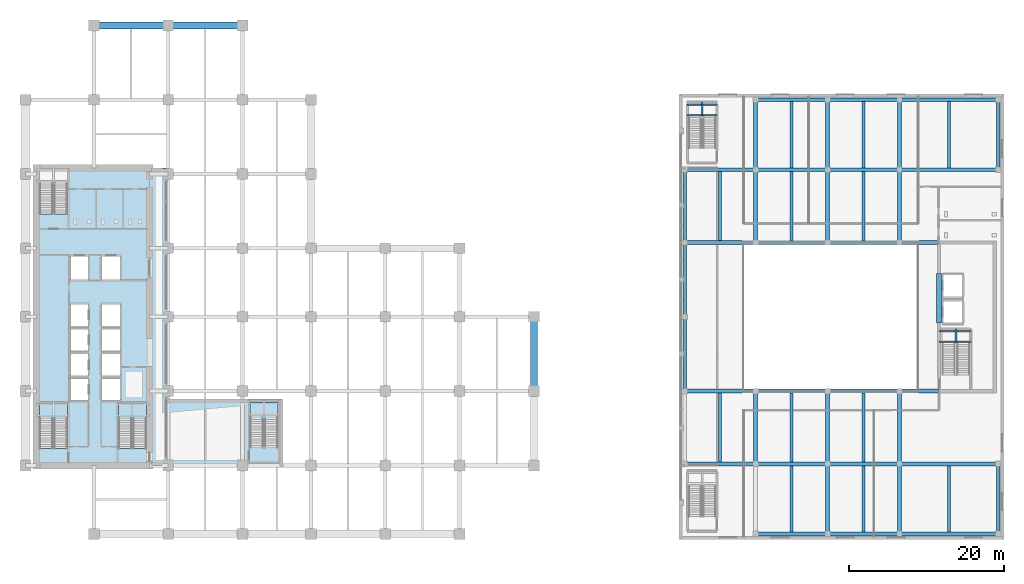
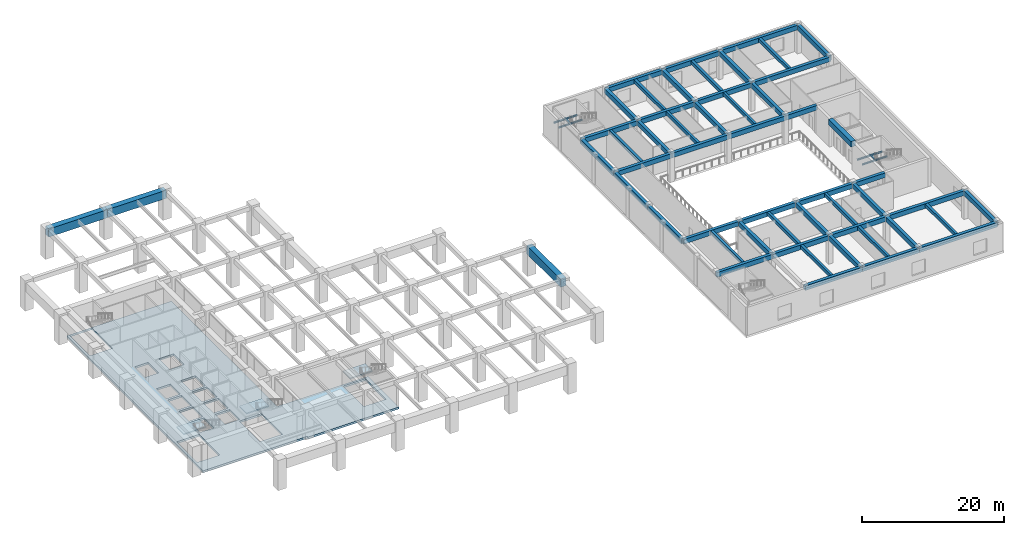
# One storey, part 3 of 22: 60 beams, 4 slabs, 3 elements without a shape of their own.
"""IFC4 building model written with IfcOpenShell, lengths in metres."""

from ifc_helpers import new_model, si_unit, direction, frame, origin, origin_2d, place, context, subcontext, project, spatial, polyline, rectangle, i_section, outline, extrude, material, layer, layer_set, material_profile, profile_set, type_object, element, aggregate, save


model = new_model("IFC4")

# Units and contexts
model_context = context("Model", 3, precision=1e-05, world=origin(), true_north=direction((0.0, 1.0)))
body_context = subcontext(model_context, "Body", "Model", "MODEL_VIEW")
ifc_project = project(units=[si_unit("LENGTHUNIT", "METRE"), si_unit("AREAUNIT", "SQUARE_METRE"), si_unit("VOLUMEUNIT", "CUBIC_METRE"), si_unit("PLANEANGLEUNIT", "RADIAN"), si_unit("MASSUNIT", "GRAM", prefix="KILO")], contexts=[model_context])

# Site, building, storey
site_placement = place(None, origin())
site = spatial("IfcSite", under=ifc_project, at=site_placement, CompositionType="ELEMENT")
building_placement = place(site_placement, origin())
building = spatial("IfcBuilding", under=site, at=building_placement, Name="Norrvale University Quadrangle", CompositionType="ELEMENT")
storey_placement = place(building_placement, frame((0.0, 0.0, 5.199951171875)))
storey = spatial("IfcBuildingStorey", under=building, at=storey_placement, Name="L01", CompositionType="ELEMENT", Elevation=5.199951171875)

# Beams
ifc_material_1 = material(Name="Concrete C80/95", Category="concrete")
ifc_material_profile_1 = material_profile(ifc_material_1, rectangle(XDim=0.699951171875, YDim=0.949951171875, at=origin_2d()), Name="Concrete C80/95")
ifc_profile_set_1 = profile_set([ifc_material_profile_1], Name="Concrete C80/95")
beam_type_1 = type_object("IfcBeamType", Name="Beam Core Link 700x950", PredefinedType="LINTEL", material=ifc_profile_set_1)
beam_1_placement = place(storey_placement, frame((118.800048828125, 28.0, 4.375), z_axis=(0.0, 1.0, 0.0), x_axis=(-1.0, 0.0, 0.0)))
element("IfcBeam", 1, at=beam_1_placement, inside=storey, type_object=beam_type_1, Name="Library Core Coupling Lintel L01", PredefinedType="LINTEL", context=body_context, shape_type="SweptSolid", body=[
    extrude(rectangle(XDim=0.699951171875, YDim=0.949951171875, at=origin_2d()), origin(), (0.0, 0.0, 1.0), 6.39990234375),
])
ifc_material_2 = material(Name="Concrete C60/75", Category="concrete")
ifc_material_profile_2 = material_profile(ifc_material_2, rectangle(XDim=0.39990234375, YDim=0.60009765625, at=origin_2d()), Name="Concrete C60/75")
ifc_profile_set_2 = profile_set([ifc_material_profile_2], Name="Concrete C60/75")
beam_type_2 = type_object("IfcBeamType", Name="Beam Lib 400x600", PredefinedType="JOIST", material=ifc_profile_set_2)
beam_2_placement = place(storey_placement, frame((90.52490234375, 10.050048828125, 4.550048828125), z_axis=(0.0, 1.0, 0.0), x_axis=(-1.0, 0.0, 0.0)))
element("IfcBeam", 2, at=beam_2_placement, inside=storey, type_object=beam_type_2, Name="Beam Lib 400x600 BM-L01-LJ039", PredefinedType="JOIST", context=body_context, shape_type="SweptSolid", body=[
    extrude(rectangle(XDim=0.39990234375, YDim=0.60009765625, at=origin_2d()), origin(), (0.0, 0.0, 1.0), 8.89990234375),
])
beam_3_placement = place(storey_placement, frame((90.52490234375, 38.64990234375, 4.550048828125), z_axis=(0.0, 1.0, 0.0), x_axis=(-1.0, 0.0, 0.0)))
element("IfcBeam", 3, at=beam_3_placement, inside=storey, type_object=beam_type_2, Name="Beam Lib 400x600 BM-L01-LJ040", PredefinedType="JOIST", context=body_context, shape_type="SweptSolid", body=[
    extrude(rectangle(XDim=0.39990234375, YDim=0.60009765625, at=origin_2d()), origin(), (0.0, 0.0, 1.0), 8.900146484375),
])
beam_4_placement = place(storey_placement, frame((99.75, 1.0, 4.550048828125), z_axis=(0.0, 1.0, 0.0), x_axis=(-1.0, 0.0, 0.0)))
element("IfcBeam", 4, at=beam_4_placement, inside=storey, type_object=beam_type_2, Name="Beam Lib 400x600 BM-L01-LJ041", PredefinedType="JOIST", context=body_context, shape_type="SweptSolid", body=[
    extrude(rectangle(XDim=0.39990234375, YDim=0.60009765625, at=origin_2d()), origin(), (0.0, 0.0, 1.0), 8.550048828125),
])
beam_5_placement = place(storey_placement, frame((99.75, 10.050048828125, 4.550048828125), z_axis=(0.0, 1.0, 0.0), x_axis=(-1.0, 0.0, 0.0)))
element("IfcBeam", 5, at=beam_5_placement, inside=storey, type_object=beam_type_2, Name="Beam Lib 400x600 BM-L01-LJ042", PredefinedType="JOIST", context=body_context, shape_type="SweptSolid", body=[
    extrude(rectangle(XDim=0.39990234375, YDim=0.60009765625, at=origin_2d()), origin(), (0.0, 0.0, 1.0), 8.89990234375),
])
beam_6_placement = place(storey_placement, frame((99.75, 38.64990234375, 4.550048828125), z_axis=(0.0, 1.0, 0.0), x_axis=(-1.0, 0.0, 0.0)))
element("IfcBeam", 6, at=beam_6_placement, inside=storey, type_object=beam_type_2, Name="Beam Lib 400x600 BM-L01-LJ043", PredefinedType="JOIST", context=body_context, shape_type="SweptSolid", body=[
    extrude(rectangle(XDim=0.39990234375, YDim=0.60009765625, at=origin_2d()), origin(), (0.0, 0.0, 1.0), 8.900146484375),
])
for number, where, z_axis, x_axis, name in (
    (7, (99.75, 48.050048828125, 4.550048828125), (0.0, 1.0, 0.0), (-1.0, 0.0, 0.0), "Beam Lib 400x600 BM-L01-LJ044"),
    (8, (109.050048828125, 1.0, 4.550048828125), (0.0, 1.0, 0.0), (-1.0, 0.0, 0.0), "Beam Lib 400x600 BM-L01-LJ045"),
):
    element("IfcBeam", number, at=place(storey_placement, frame(where, z_axis=z_axis, x_axis=x_axis)), inside=storey, type_object=beam_type_2, Name=name, PredefinedType="JOIST", context=body_context, shape_type="SweptSolid", body=[
        extrude(rectangle(XDim=0.39990234375, YDim=0.60009765625, at=origin_2d()), origin(), (0.0, 0.0, 1.0), 8.550048828125),
    ])
beam_7_placement = place(storey_placement, frame((109.050048828125, 10.050048828125, 4.550048828125), z_axis=(0.0, 1.0, 0.0), x_axis=(-1.0, 0.0, 0.0)))
element("IfcBeam", 9, at=beam_7_placement, inside=storey, type_object=beam_type_2, Name="Beam Lib 400x600 BM-L01-LJ046", PredefinedType="JOIST", context=body_context, shape_type="SweptSolid", body=[
    extrude(rectangle(XDim=0.39990234375, YDim=0.60009765625, at=origin_2d()), origin(), (0.0, 0.0, 1.0), 8.89990234375),
])
beam_8_placement = place(storey_placement, frame((109.050048828125, 38.64990234375, 4.550048828125), z_axis=(0.0, 1.0, 0.0), x_axis=(-1.0, 0.0, 0.0)))
element("IfcBeam", 10, at=beam_8_placement, inside=storey, type_object=beam_type_2, Name="Beam Lib 400x600 BM-L01-LJ047", PredefinedType="JOIST", context=body_context, shape_type="SweptSolid", body=[
    extrude(rectangle(XDim=0.39990234375, YDim=0.60009765625, at=origin_2d()), origin(), (0.0, 0.0, 1.0), 8.900146484375),
])
for number, where, z_axis, x_axis, name in (
    (11, (109.050048828125, 48.050048828125, 4.550048828125), (0.0, 1.0, 0.0), (-1.0, 0.0, 0.0), "Beam Lib 400x600 BM-L01-LJ048"),
    (12, (120.074951171875, 1.0, 4.550048828125), (0.0, 1.0, 0.0), (-1.0, 0.0, 0.0), "Beam Lib 400x600 BM-L01-LJ049"),
    (13, (120.074951171875, 48.050048828125, 4.550048828125), (0.0, 1.0, 0.0), (-1.0, 0.0, 0.0), "Beam Lib 400x600 BM-L01-LJ050"),
):
    element("IfcBeam", number, at=place(storey_placement, frame(where, z_axis=z_axis, x_axis=x_axis)), inside=storey, type_object=beam_type_2, Name=name, PredefinedType="JOIST", context=body_context, shape_type="SweptSolid", body=[
        extrude(rectangle(XDim=0.39990234375, YDim=0.60009765625, at=origin_2d()), origin(), (0.0, 0.0, 1.0), 8.550048828125),
    ])
ifc_material_profile_3 = material_profile(ifc_material_2, rectangle(XDim=0.5, YDim=0.800048828125, at=origin_2d()), Name="Concrete C60/75")
ifc_profile_set_3 = profile_set([ifc_material_profile_3], Name="Concrete C60/75")
beam_type_3 = type_object("IfcBeamType", Name="Beam Lib 500x800", PredefinedType="BEAM", material=ifc_profile_set_3)
beam_9_placement = place(storey_placement, frame((95.10009765625, 0.75, 4.449951171875), z_axis=(1.0, 0.0, 0.0), x_axis=(0.0, 1.0, 0.0)))
element("IfcBeam", 14, at=beam_9_placement, inside=storey, type_object=beam_type_3, Name="Beam Lib 500x800 BM-L01-LGX001", PredefinedType="BEAM", context=body_context, shape_type="SweptSolid", body=[
    extrude(rectangle(XDim=0.5, YDim=0.800048828125, at=origin_2d()), origin(), (0.0, 0.0, 1.0), 9.2998046875),
])
beam_10_placement = place(storey_placement, frame((104.39990234375, 0.75, 4.449951171875), z_axis=(1.0, 0.0, 0.0), x_axis=(0.0, 1.0, 0.0)))
element("IfcBeam", 15, at=beam_10_placement, inside=storey, type_object=beam_type_3, Name="Beam Lib 500x800 BM-L01-LGX002", PredefinedType="BEAM", context=body_context, shape_type="SweptSolid", body=[
    extrude(rectangle(XDim=0.5, YDim=0.800048828125, at=origin_2d()), origin(), (0.0, 0.0, 1.0), 9.300048828125),
])
beam_11_placement = place(storey_placement, frame((113.699951171875, 0.75, 4.449951171875), z_axis=(1.0, 0.0, 0.0), x_axis=(0.0, 1.0, 0.0)))
element("IfcBeam", 16, at=beam_11_placement, inside=storey, type_object=beam_type_3, Name="Beam Lib 500x800 BM-L01-LGX003", PredefinedType="BEAM", context=body_context, shape_type="SweptSolid", body=[
    extrude(rectangle(XDim=0.5, YDim=0.800048828125, at=origin_2d()), origin(), (0.0, 0.0, 1.0), 12.75),
])
beam_12_placement = place(storey_placement, frame((85.949951171875, 9.800048828125, 4.449951171875), z_axis=(1.0, 0.0, 0.0), x_axis=(0.0, 1.0, 0.0)))
element("IfcBeam", 17, at=beam_12_placement, inside=storey, type_object=beam_type_3, Name="Beam Lib 500x800 BM-L01-LGX004", PredefinedType="BEAM", context=body_context, shape_type="SweptSolid", body=[
    extrude(rectangle(XDim=0.5, YDim=0.800048828125, at=origin_2d()), origin(), (0.0, 0.0, 1.0), 9.150146484375),
])
beam_13_placement = place(storey_placement, frame((95.10009765625, 9.800048828125, 4.449951171875), z_axis=(1.0, 0.0, 0.0), x_axis=(0.0, 1.0, 0.0)))
element("IfcBeam", 18, at=beam_13_placement, inside=storey, type_object=beam_type_3, Name="Beam Lib 500x800 BM-L01-LGX005", PredefinedType="BEAM", context=body_context, shape_type="SweptSolid", body=[
    extrude(rectangle(XDim=0.5, YDim=0.800048828125, at=origin_2d()), origin(), (0.0, 0.0, 1.0), 9.2998046875),
])
beam_14_placement = place(storey_placement, frame((104.39990234375, 9.800048828125, 4.449951171875), z_axis=(1.0, 0.0, 0.0), x_axis=(0.0, 1.0, 0.0)))
element("IfcBeam", 19, at=beam_14_placement, inside=storey, type_object=beam_type_3, Name="Beam Lib 500x800 BM-L01-LGX006", PredefinedType="BEAM", context=body_context, shape_type="SweptSolid", body=[
    extrude(rectangle(XDim=0.5, YDim=0.800048828125, at=origin_2d()), origin(), (0.0, 0.0, 1.0), 9.300048828125),
])
beam_15_placement = place(storey_placement, frame((113.699951171875, 9.800048828125, 4.449951171875), z_axis=(1.0, 0.0, 0.0), x_axis=(0.0, 1.0, 0.0)))
element("IfcBeam", 20, at=beam_15_placement, inside=storey, type_object=beam_type_3, Name="Beam Lib 500x800 BM-L01-LGX007", PredefinedType="BEAM", context=body_context, shape_type="SweptSolid", body=[
    extrude(rectangle(XDim=0.5, YDim=0.800048828125, at=origin_2d()), origin(), (0.0, 0.0, 1.0), 12.75),
])
beam_16_placement = place(storey_placement, frame((85.949951171875, 19.199951171875, 4.449951171875), z_axis=(1.0, 0.0, 0.0), x_axis=(0.0, 1.0, 0.0)))
element("IfcBeam", 21, at=beam_16_placement, inside=storey, type_object=beam_type_3, Name="Beam Lib 500x800 BM-L01-LGX008", PredefinedType="BEAM", context=body_context, shape_type="SweptSolid", body=[
    extrude(rectangle(XDim=0.5, YDim=0.800048828125, at=origin_2d()), origin(), (0.0, 0.0, 1.0), 9.150146484375),
])
beam_17_placement = place(storey_placement, frame((95.10009765625, 19.199951171875, 4.449951171875), z_axis=(1.0, 0.0, 0.0), x_axis=(0.0, 1.0, 0.0)))
element("IfcBeam", 22, at=beam_17_placement, inside=storey, type_object=beam_type_3, Name="Beam Lib 500x800 BM-L01-LGX009", PredefinedType="BEAM", context=body_context, shape_type="SweptSolid", body=[
    extrude(rectangle(XDim=0.5, YDim=0.800048828125, at=origin_2d()), origin(), (0.0, 0.0, 1.0), 9.2998046875),
])
beam_18_placement = place(storey_placement, frame((104.39990234375, 19.199951171875, 4.449951171875), z_axis=(1.0, 0.0, 0.0), x_axis=(0.0, 1.0, 0.0)))
element("IfcBeam", 23, at=beam_18_placement, inside=storey, type_object=beam_type_3, Name="Beam Lib 500x800 BM-L01-LGX010", PredefinedType="BEAM", context=body_context, shape_type="SweptSolid", body=[
    extrude(rectangle(XDim=0.5, YDim=0.800048828125, at=origin_2d()), origin(), (0.0, 0.0, 1.0), 9.300048828125),
])
beam_19_placement = place(storey_placement, frame((85.949951171875, 38.39990234375, 4.449951171875), z_axis=(1.0, 0.0, 0.0), x_axis=(0.0, 1.0, 0.0)))
element("IfcBeam", 24, at=beam_19_placement, inside=storey, type_object=beam_type_3, Name="Beam Lib 500x800 BM-L01-LGX011", PredefinedType="BEAM", context=body_context, shape_type="SweptSolid", body=[
    extrude(rectangle(XDim=0.5, YDim=0.800048828125, at=origin_2d()), origin(), (0.0, 0.0, 1.0), 9.150146484375),
])
beam_20_placement = place(storey_placement, frame((95.10009765625, 38.39990234375, 4.449951171875), z_axis=(1.0, 0.0, 0.0), x_axis=(0.0, 1.0, 0.0)))
element("IfcBeam", 25, at=beam_20_placement, inside=storey, type_object=beam_type_3, Name="Beam Lib 500x800 BM-L01-LGX012", PredefinedType="BEAM", context=body_context, shape_type="SweptSolid", body=[
    extrude(rectangle(XDim=0.5, YDim=0.800048828125, at=origin_2d()), origin(), (0.0, 0.0, 1.0), 9.2998046875),
])
beam_21_placement = place(storey_placement, frame((104.39990234375, 38.39990234375, 4.449951171875), z_axis=(1.0, 0.0, 0.0), x_axis=(0.0, 1.0, 0.0)))
element("IfcBeam", 26, at=beam_21_placement, inside=storey, type_object=beam_type_3, Name="Beam Lib 500x800 BM-L01-LGX013", PredefinedType="BEAM", context=body_context, shape_type="SweptSolid", body=[
    extrude(rectangle(XDim=0.5, YDim=0.800048828125, at=origin_2d()), origin(), (0.0, 0.0, 1.0), 9.300048828125),
])
beam_22_placement = place(storey_placement, frame((85.949951171875, 47.800048828125, 4.449951171875), z_axis=(1.0, 0.0, 0.0), x_axis=(0.0, 1.0, 0.0)))
element("IfcBeam", 27, at=beam_22_placement, inside=storey, type_object=beam_type_3, Name="Beam Lib 500x800 BM-L01-LGX014", PredefinedType="BEAM", context=body_context, shape_type="SweptSolid", body=[
    extrude(rectangle(XDim=0.5, YDim=0.800048828125, at=origin_2d()), origin(), (0.0, 0.0, 1.0), 9.150146484375),
])
beam_23_placement = place(storey_placement, frame((95.10009765625, 47.800048828125, 4.449951171875), z_axis=(1.0, 0.0, 0.0), x_axis=(0.0, 1.0, 0.0)))
element("IfcBeam", 28, at=beam_23_placement, inside=storey, type_object=beam_type_3, Name="Beam Lib 500x800 BM-L01-LGX015", PredefinedType="BEAM", context=body_context, shape_type="SweptSolid", body=[
    extrude(rectangle(XDim=0.5, YDim=0.800048828125, at=origin_2d()), origin(), (0.0, 0.0, 1.0), 9.2998046875),
])
beam_24_placement = place(storey_placement, frame((104.39990234375, 47.800048828125, 4.449951171875), z_axis=(1.0, 0.0, 0.0), x_axis=(0.0, 1.0, 0.0)))
element("IfcBeam", 29, at=beam_24_placement, inside=storey, type_object=beam_type_3, Name="Beam Lib 500x800 BM-L01-LGX016", PredefinedType="BEAM", context=body_context, shape_type="SweptSolid", body=[
    extrude(rectangle(XDim=0.5, YDim=0.800048828125, at=origin_2d()), origin(), (0.0, 0.0, 1.0), 9.300048828125),
])
beam_25_placement = place(storey_placement, frame((113.699951171875, 47.800048828125, 4.449951171875), z_axis=(1.0, 0.0, 0.0), x_axis=(0.0, 1.0, 0.0)))
element("IfcBeam", 30, at=beam_25_placement, inside=storey, type_object=beam_type_3, Name="Beam Lib 500x800 BM-L01-LGX017", PredefinedType="BEAM", context=body_context, shape_type="SweptSolid", body=[
    extrude(rectangle(XDim=0.5, YDim=0.800048828125, at=origin_2d()), origin(), (0.0, 0.0, 1.0), 12.75),
])
beam_26_placement = place(storey_placement, frame((95.10009765625, 56.85009765625, 4.449951171875), z_axis=(1.0, 0.0, 0.0), x_axis=(0.0, 1.0, 0.0)))
element("IfcBeam", 31, at=beam_26_placement, inside=storey, type_object=beam_type_3, Name="Beam Lib 500x800 BM-L01-LGX018", PredefinedType="BEAM", context=body_context, shape_type="SweptSolid", body=[
    extrude(rectangle(XDim=0.5, YDim=0.800048828125, at=origin_2d()), origin(), (0.0, 0.0, 1.0), 9.2998046875),
])
beam_27_placement = place(storey_placement, frame((104.39990234375, 56.85009765625, 4.449951171875), z_axis=(1.0, 0.0, 0.0), x_axis=(0.0, 1.0, 0.0)))
element("IfcBeam", 32, at=beam_27_placement, inside=storey, type_object=beam_type_3, Name="Beam Lib 500x800 BM-L01-LGX019", PredefinedType="BEAM", context=body_context, shape_type="SweptSolid", body=[
    extrude(rectangle(XDim=0.5, YDim=0.800048828125, at=origin_2d()), origin(), (0.0, 0.0, 1.0), 9.300048828125),
])
beam_28_placement = place(storey_placement, frame((113.699951171875, 56.85009765625, 4.449951171875), z_axis=(1.0, 0.0, 0.0), x_axis=(0.0, 1.0, 0.0)))
element("IfcBeam", 33, at=beam_28_placement, inside=storey, type_object=beam_type_3, Name="Beam Lib 500x800 BM-L01-LGX020", PredefinedType="BEAM", context=body_context, shape_type="SweptSolid", body=[
    extrude(rectangle(XDim=0.5, YDim=0.800048828125, at=origin_2d()), origin(), (0.0, 0.0, 1.0), 12.75),
])
beam_29_placement = place(storey_placement, frame((85.949951171875, 19.199951171875, 4.449951171875), z_axis=(0.0, 1.0, 0.0), x_axis=(-1.0, 0.0, 0.0)))
element("IfcBeam", 34, at=beam_29_placement, inside=storey, type_object=beam_type_3, Name="Beam Lib 500x800 BM-L01-LGY022", PredefinedType="BEAM", context=body_context, shape_type="SweptSolid", body=[
    extrude(rectangle(XDim=0.5, YDim=0.800048828125, at=origin_2d()), origin(), (0.0, 0.0, 1.0), 9.60009765625),
])
beam_30_placement = place(storey_placement, frame((85.949951171875, 28.800048828125, 4.449951171875), z_axis=(0.0, 1.0, 0.0), x_axis=(-1.0, 0.0, 0.0)))
element("IfcBeam", 35, at=beam_30_placement, inside=storey, type_object=beam_type_3, Name="Beam Lib 500x800 BM-L01-LGY023", PredefinedType="BEAM", context=body_context, shape_type="SweptSolid", body=[
    extrude(rectangle(XDim=0.5, YDim=0.800048828125, at=origin_2d()), origin(), (0.0, 0.0, 1.0), 9.599853515625),
])
beam_31_placement = place(storey_placement, frame((85.949951171875, 38.39990234375, 4.449951171875), z_axis=(0.0, 1.0, 0.0), x_axis=(-1.0, 0.0, 0.0)))
element("IfcBeam", 36, at=beam_31_placement, inside=storey, type_object=beam_type_3, Name="Beam Lib 500x800 BM-L01-LGY024", PredefinedType="BEAM", context=body_context, shape_type="SweptSolid", body=[
    extrude(rectangle(XDim=0.5, YDim=0.800048828125, at=origin_2d()), origin(), (0.0, 0.0, 1.0), 9.400146484375),
])
beam_32_placement = place(storey_placement, frame((95.10009765625, 9.800048828125, 4.449951171875), z_axis=(0.0, 1.0, 0.0), x_axis=(-1.0, 0.0, 0.0)))
element("IfcBeam", 37, at=beam_32_placement, inside=storey, type_object=beam_type_3, Name="Beam Lib 500x800 BM-L01-LGY026", PredefinedType="BEAM", context=body_context, shape_type="SweptSolid", body=[
    extrude(rectangle(XDim=0.5, YDim=0.800048828125, at=origin_2d()), origin(), (0.0, 0.0, 1.0), 9.39990234375),
])
beam_33_placement = place(storey_placement, frame((95.10009765625, 38.39990234375, 4.449951171875), z_axis=(0.0, 1.0, 0.0), x_axis=(-1.0, 0.0, 0.0)))
element("IfcBeam", 38, at=beam_33_placement, inside=storey, type_object=beam_type_3, Name="Beam Lib 500x800 BM-L01-LGY027", PredefinedType="BEAM", context=body_context, shape_type="SweptSolid", body=[
    extrude(rectangle(XDim=0.5, YDim=0.800048828125, at=origin_2d()), origin(), (0.0, 0.0, 1.0), 9.400146484375),
])
for number, where, z_axis, x_axis, name in (
    (39, (95.10009765625, 47.800048828125, 4.449951171875), (0.0, 1.0, 0.0), (-1.0, 0.0, 0.0), "Beam Lib 500x800 BM-L01-LGY028"),
    (40, (104.39990234375, 0.75, 4.449951171875), (0.0, 1.0, 0.0), (-1.0, 0.0, 0.0), "Beam Lib 500x800 BM-L01-LGY029"),
):
    element("IfcBeam", number, at=place(storey_placement, frame(where, z_axis=z_axis, x_axis=x_axis)), inside=storey, type_object=beam_type_3, Name=name, PredefinedType="BEAM", context=body_context, shape_type="SweptSolid", body=[
        extrude(rectangle(XDim=0.5, YDim=0.800048828125, at=origin_2d()), origin(), (0.0, 0.0, 1.0), 9.050048828125),
    ])
beam_34_placement = place(storey_placement, frame((104.39990234375, 9.800048828125, 4.449951171875), z_axis=(0.0, 1.0, 0.0), x_axis=(-1.0, 0.0, 0.0)))
element("IfcBeam", 41, at=beam_34_placement, inside=storey, type_object=beam_type_3, Name="Beam Lib 500x800 BM-L01-LGY030", PredefinedType="BEAM", context=body_context, shape_type="SweptSolid", body=[
    extrude(rectangle(XDim=0.5, YDim=0.800048828125, at=origin_2d()), origin(), (0.0, 0.0, 1.0), 9.39990234375),
])
beam_35_placement = place(storey_placement, frame((104.39990234375, 38.39990234375, 4.449951171875), z_axis=(0.0, 1.0, 0.0), x_axis=(-1.0, 0.0, 0.0)))
element("IfcBeam", 42, at=beam_35_placement, inside=storey, type_object=beam_type_3, Name="Beam Lib 500x800 BM-L01-LGY031", PredefinedType="BEAM", context=body_context, shape_type="SweptSolid", body=[
    extrude(rectangle(XDim=0.5, YDim=0.800048828125, at=origin_2d()), origin(), (0.0, 0.0, 1.0), 9.400146484375),
])
for number, where, z_axis, x_axis, name in (
    (43, (104.39990234375, 47.800048828125, 4.449951171875), (0.0, 1.0, 0.0), (-1.0, 0.0, 0.0), "Beam Lib 500x800 BM-L01-LGY032"),
    (44, (113.699951171875, 0.75, 4.449951171875), (0.0, 1.0, 0.0), (-1.0, 0.0, 0.0), "Beam Lib 500x800 BM-L01-LGY033"),
):
    element("IfcBeam", number, at=place(storey_placement, frame(where, z_axis=z_axis, x_axis=x_axis)), inside=storey, type_object=beam_type_3, Name=name, PredefinedType="BEAM", context=body_context, shape_type="SweptSolid", body=[
        extrude(rectangle(XDim=0.5, YDim=0.800048828125, at=origin_2d()), origin(), (0.0, 0.0, 1.0), 9.050048828125),
    ])
beam_36_placement = place(storey_placement, frame((113.699951171875, 9.800048828125, 4.449951171875), z_axis=(0.0, 1.0, 0.0), x_axis=(-1.0, 0.0, 0.0)))
element("IfcBeam", 45, at=beam_36_placement, inside=storey, type_object=beam_type_3, Name="Beam Lib 500x800 BM-L01-LGY034", PredefinedType="BEAM", context=body_context, shape_type="SweptSolid", body=[
    extrude(rectangle(XDim=0.5, YDim=0.800048828125, at=origin_2d()), origin(), (0.0, 0.0, 1.0), 9.39990234375),
])
beam_37_placement = place(storey_placement, frame((113.699951171875, 38.39990234375, 4.449951171875), z_axis=(0.0, 1.0, 0.0), x_axis=(-1.0, 0.0, 0.0)))
element("IfcBeam", 46, at=beam_37_placement, inside=storey, type_object=beam_type_3, Name="Beam Lib 500x800 BM-L01-LGY035", PredefinedType="BEAM", context=body_context, shape_type="SweptSolid", body=[
    extrude(rectangle(XDim=0.5, YDim=0.800048828125, at=origin_2d()), origin(), (0.0, 0.0, 1.0), 9.400146484375),
])
for number, where, z_axis, x_axis, name in (
    (47, (113.699951171875, 47.800048828125, 4.449951171875), (0.0, 1.0, 0.0), (-1.0, 0.0, 0.0), "Beam Lib 500x800 BM-L01-LGY036"),
    (48, (126.449951171875, 0.75, 4.449951171875), (0.0, 1.0, 0.0), (-1.0, 0.0, 0.0), "Beam Lib 500x800 BM-L01-LGY037"),
    (49, (126.449951171875, 47.800048828125, 4.449951171875), (0.0, 1.0, 0.0), (-1.0, 0.0, 0.0), "Beam Lib 500x800 BM-L01-LGY038"),
):
    element("IfcBeam", number, at=place(storey_placement, frame(where, z_axis=z_axis, x_axis=x_axis)), inside=storey, type_object=beam_type_3, Name=name, PredefinedType="BEAM", context=body_context, shape_type="SweptSolid", body=[
        extrude(rectangle(XDim=0.5, YDim=0.800048828125, at=origin_2d()), origin(), (0.0, 0.0, 1.0), 9.050048828125),
    ])
for number, where, z_axis, x_axis, name in (
    (50, (113.699951171875, 19.199951171875, 4.449951171875), (1.0, 0.0, 0.0), (0.0, 1.0, 0.0), "Beam Lib 500x800 BM-L01-LCTIE051"),
    (51, (113.699951171875, 38.39990234375, 4.449951171875), (1.0, 0.0, 0.0), (0.0, 1.0, 0.0), "Beam Lib 500x800 BM-L01-LCTIE052"),
):
    element("IfcBeam", number, at=place(storey_placement, frame(where, z_axis=z_axis, x_axis=x_axis)), inside=storey, type_object=beam_type_3, Name=name, PredefinedType="BEAM", context=body_context, shape_type="SweptSolid", body=[
        extrude(rectangle(XDim=0.5, YDim=0.800048828125, at=origin_2d()), origin(), (0.0, 0.0, 1.0), 5.10009765625),
    ])
ifc_material_3 = material(Name="Steel 350W", Category="steel")
ifc_material_profile_4 = material_profile(ifc_material_3, i_section(OverallWidth=0.201904296875, OverallDepth=0.2470703125, WebThickness=0.00732421875, FlangeThickness=0.010986328125, FilletRadius=0.011962890625, at=origin_2d()), Name="Steel 350W")
ifc_profile_set_4 = profile_set([ifc_material_profile_4], Name="Steel 350W")
beam_type_4 = type_object("IfcBeamType", Name="Beam Stair W250x49", PredefinedType="BEAM", material=ifc_profile_set_4)
for number, where, z_axis, x_axis, name in (
    (52, (118.800048828125, 25.56005859375, 2.276611328125), (1.0, 0.0, 0.0), (0.0, 1.0, 0.0), "Stair Mid-Landing Front Beam ST-L1 L01"),
    (53, (118.800048828125, 26.919921875, 2.276611328125), (1.0, 0.0, 0.0), (0.0, 1.0, 0.0), "Stair Mid-Landing Rear Beam ST-L1 L01"),
):
    element("IfcBeam", number, at=place(storey_placement, frame(where, z_axis=z_axis, x_axis=x_axis)), inside=storey, type_object=beam_type_4, Name=name, PredefinedType="BEAM", context=body_context, shape_type="SweptSolid", body=[
        extrude(i_section(OverallWidth=0.201904296875, OverallDepth=0.2470703125, WebThickness=0.00732421875, FlangeThickness=0.010986328125, FilletRadius=0.011962890625, at=origin_2d()), origin(), (0.0, 0.0, 1.0), 4.139892578125),
    ])
for number, where, z_axis, x_axis, name in (
    (54, (86.260009765625, 54.860107421875, 2.276611328125), (1.0, 0.0, 0.0), (0.0, 1.0, 0.0), "Stair Mid-Landing Front Beam ST-L3 L01"),
    (55, (86.260009765625, 56.219970703125, 2.276611328125), (1.0, 0.0, 0.0), (0.0, 1.0, 0.0), "Stair Mid-Landing Rear Beam ST-L3 L01"),
):
    element("IfcBeam", number, at=place(storey_placement, frame(where, z_axis=z_axis, x_axis=x_axis)), inside=storey, type_object=beam_type_4, Name=name, PredefinedType="BEAM", context=body_context, shape_type="SweptSolid", body=[
        extrude(i_section(OverallWidth=0.201904296875, OverallDepth=0.2470703125, WebThickness=0.00732421875, FlangeThickness=0.010986328125, FilletRadius=0.011962890625, at=origin_2d()), origin(), (0.0, 0.0, 1.0), 3.8798828125),
    ])
ifc_material_profile_5 = material_profile(ifc_material_2, rectangle(XDim=0.89990234375, YDim=1.39990234375, at=origin_2d()), Name="Concrete C60/75")
ifc_profile_set_5 = profile_set([ifc_material_profile_5], Name="Concrete C60/75")
beam_type_5 = type_object("IfcBeamType", Name="Beam Transfer 900x1400", PredefinedType="USERDEFINED", material=ifc_profile_set_5)
beam_38_placement = place(storey_placement, frame((66.449951171875, 19.199951171875, 4.16015625), z_axis=(0.0, 1.0, 0.0), x_axis=(-1.0, 0.0, 0.0)))
element("IfcBeam", 56, at=beam_38_placement, inside=storey, type_object=beam_type_5, Name="Setback Transfer Girder L01-12", ObjectType="TRANSFER GIRDER", PredefinedType="USERDEFINED", context=body_context, shape_type="SweptSolid", body=[
    extrude(rectangle(XDim=0.89990234375, YDim=1.39990234375, at=origin_2d()), origin(), (0.0, 0.0, 1.0), 9.60009765625),
])
beam_39_placement = place(storey_placement, frame((9.60009765625, 66.449951171875, 4.16015625), z_axis=(1.0, 0.0, 0.0), x_axis=(0.0, 1.0, 0.0)))
element("IfcBeam", 57, at=beam_39_placement, inside=storey, type_object=beam_type_5, Name="Setback Transfer Girder L01-13", ObjectType="TRANSFER GIRDER", PredefinedType="USERDEFINED", context=body_context, shape_type="SweptSolid", body=[
    extrude(rectangle(XDim=0.89990234375, YDim=1.39990234375, at=origin_2d()), origin(), (0.0, 0.0, 1.0), 9.599853515625),
])
beam_40_placement = place(storey_placement, frame((19.199951171875, 66.449951171875, 4.16015625), z_axis=(1.0, 0.0, 0.0), x_axis=(0.0, 1.0, 0.0)))
element("IfcBeam", 58, at=beam_40_placement, inside=storey, type_object=beam_type_5, Name="Setback Transfer Girder L01-14", ObjectType="TRANSFER GIRDER", PredefinedType="USERDEFINED", context=body_context, shape_type="SweptSolid", body=[
    extrude(rectangle(XDim=0.89990234375, YDim=1.39990234375, at=origin_2d()), origin(), (0.0, 0.0, 1.0), 9.60009765625),
])
ifc_material_profile_6 = material_profile(ifc_material_3, i_section(OverallWidth=0.202880859375, OverallDepth=0.202880859375, WebThickness=0.007080078125, FlangeThickness=0.010986328125, FilletRadius=0.010009765625, at=origin_2d()), Name="Steel 350W")
ifc_profile_set_6 = profile_set([ifc_material_profile_6], Name="Steel 350W")
beam_type_6 = type_object("IfcBeamType", Name="Beam Trim W200x46", PredefinedType="BEAM", material=ifc_profile_set_6)
for number, where, z_axis, x_axis, name in (
    (59, (121.0, 25.56005859375, 2.298583984375), (0.0, 1.0, 0.0), (-1.0, 0.0, 0.0), "Stair Mid-Landing Cross Beam ST-L1 L01"),
    (60, (88.199951171875, 54.860107421875, 2.298583984375), (0.0, 1.0, 0.0), (-1.0, 0.0, 0.0), "Stair Mid-Landing Cross Beam ST-L3 L01"),
):
    element("IfcBeam", number, at=place(storey_placement, frame(where, z_axis=z_axis, x_axis=x_axis)), inside=storey, type_object=beam_type_6, Name=name, PredefinedType="BEAM", context=body_context, shape_type="SweptSolid", body=[
        extrude(i_section(OverallWidth=0.202880859375, OverallDepth=0.202880859375, WebThickness=0.007080078125, FlangeThickness=0.010986328125, FilletRadius=0.010009765625, at=origin_2d()), origin(), (0.0, 0.0, 1.0), 1.679931640625),
    ])

# Stair, slab
ifc_material_4 = material(Name="Concrete C40/50", Category="concrete")
stair_type = type_object("IfcStairType", Name="Stair Tower Tall 5200", PredefinedType="TWO_STRAIGHT_RUN_STAIR", material=ifc_material_4)
stair_1_placement = place(storey_placement, origin())
stair_1 = element("IfcStair", 61, at=stair_1_placement, inside=storey, type_object=stair_type, Name="Exit Stair ST-01 L01", PredefinedType="TWO_STRAIGHT_RUN_STAIR")
ifc_layer_1 = layer(ifc_material_4, 0.199951171875, Name="Concrete C40/50")
ifc_layer_set_1 = layer_set([ifc_layer_1], Name="Concrete C40/50")
slab_type_1 = type_object("IfcSlabType", Name="Slab Landing 200", PredefinedType="LANDING", material=ifc_layer_set_1)
slab_1_placement = place(storey_placement, frame((0.0, 0.0, 2.400146484375)))
slab_1 = element("IfcSlab", 62, at=slab_1_placement, type_object=slab_type_1, Name="Exit Stair ST-01 L01 Mid Landing", PredefinedType="LANDING", context=body_context, shape_type="SweptSolid", body=[
    extrude(outline(polyline([(2.550048828125, 15.610107421875), (6.199951171875, 15.610107421875), (6.199951171875, 17.64990234375), (2.550048828125, 17.64990234375), (2.550048828125, 15.610107421875)])), origin(), (0.0, 0.0, 1.0), 0.199951171875),
])
aggregate(stair_1, [slab_1])

stair_2_placement = place(storey_placement, origin())
stair_2 = element("IfcStair", 63, at=stair_2_placement, inside=storey, type_object=stair_type, Name="Exit Stair ST-03 L01", PredefinedType="TWO_STRAIGHT_RUN_STAIR")
slab_2_placement = place(storey_placement, frame((0.0, 0.0, 2.400146484375)))
slab_2 = element("IfcSlab", 64, at=slab_2_placement, type_object=slab_type_1, Name="Exit Stair ST-03 L01 Mid Landing", PredefinedType="LANDING", context=body_context, shape_type="SweptSolid", body=[
    extrude(outline(polyline([(12.75, 15.610107421875), (16.39990234375, 15.610107421875), (16.39990234375, 17.64990234375), (12.75, 17.64990234375), (12.75, 15.610107421875)])), origin(), (0.0, 0.0, 1.0), 0.199951171875),
])
aggregate(stair_2, [slab_2])

stair_3_placement = place(storey_placement, origin())
stair_3 = element("IfcStair", 65, at=stair_3_placement, inside=storey, type_object=stair_type, Name="Exit Stair ST-04 L01", PredefinedType="TWO_STRAIGHT_RUN_STAIR")
slab_3_placement = place(storey_placement, frame((0.0, 0.0, 2.400146484375)))
slab_3 = element("IfcSlab", 66, at=slab_3_placement, type_object=slab_type_1, Name="Exit Stair ST-04 L01 Mid Landing", PredefinedType="LANDING", context=body_context, shape_type="SweptSolid", body=[
    extrude(outline(polyline([(29.75, 15.760009765625), (33.39990234375, 15.760009765625), (33.39990234375, 17.800048828125), (29.75, 17.800048828125), (29.75, 15.760009765625)])), origin(), (0.0, 0.0, 1.0), 0.199951171875),
])
aggregate(stair_3, [slab_3])

# Slab
ifc_layer_2 = layer(ifc_material_4, 0.340087890625, Name="Concrete C40/50")
ifc_layer_set_2 = layer_set([ifc_layer_2], Name="Concrete C40/50")
slab_type_2 = type_object("IfcSlabType", Name="Slab Podium 340", PredefinedType="FLOOR", material=ifc_layer_set_2)
slab_4_placement = place(storey_placement, frame((0.0, 0.0, -0.33984375)))
element("IfcSlab", 67, at=slab_4_placement, inside=storey, type_object=slab_type_2, Name="Tower L01 Mezzanine Floor Slab", PredefinedType="FLOOR", context=body_context, shape_type="SweptSolid", body=[
    extrude(outline(polyline([(2.199951171875, 9.60009765625), (19.199951171875, 9.60009765625), (19.199951171875, 9.39990234375), (34.0, 9.39990234375), (34.0, 18.10009765625), (19.199951171875, 18.10009765625), (19.199951171875, 48.0), (2.199951171875, 48.0), (2.199951171875, 9.60009765625)]), holes=[polyline([(2.550048828125, 11.81005859375), (6.199951171875, 11.81005859375), (6.199951171875, 17.64990234375), (2.550048828125, 17.64990234375), (2.550048828125, 11.81005859375)]), polyline([(2.550048828125, 42.110107421875), (6.199951171875, 42.110107421875), (6.199951171875, 47.949951171875), (2.550048828125, 47.949951171875), (2.550048828125, 42.110107421875)]), polyline([(12.75, 11.81005859375), (16.39990234375, 11.81005859375), (16.39990234375, 17.64990234375), (12.75, 17.64990234375), (12.75, 11.81005859375)]), polyline([(29.75, 11.9599609375), (33.39990234375, 11.9599609375), (33.39990234375, 17.800048828125), (29.75, 17.800048828125), (29.75, 11.9599609375)]), polyline([(6.60009765625, 18.0), (8.85009765625, 18.0), (8.85009765625, 20.800048828125), (6.60009765625, 20.800048828125), (6.60009765625, 18.0)]), polyline([(6.60009765625, 21.199951171875), (8.85009765625, 21.199951171875), (8.85009765625, 24.0), (6.60009765625, 24.0), (6.60009765625, 21.199951171875)]), polyline([(6.60009765625, 24.39990234375), (8.85009765625, 24.39990234375), (8.85009765625, 27.199951171875), (6.60009765625, 27.199951171875), (6.60009765625, 24.39990234375)]), polyline([(6.60009765625, 27.60009765625), (8.85009765625, 27.60009765625), (8.85009765625, 30.39990234375), (6.60009765625, 30.39990234375), (6.60009765625, 27.60009765625)]), polyline([(10.60009765625, 18.0), (13.0, 18.0), (13.0, 20.800048828125), (10.60009765625, 20.800048828125), (10.60009765625, 18.0)]), polyline([(10.60009765625, 21.199951171875), (13.0, 21.199951171875), (13.0, 24.0), (10.60009765625, 24.0), (10.60009765625, 21.199951171875)]), polyline([(10.60009765625, 24.39990234375), (13.0, 24.39990234375), (13.0, 27.199951171875), (10.60009765625, 27.199951171875), (10.60009765625, 24.39990234375)]), polyline([(10.60009765625, 27.60009765625), (13.0, 27.60009765625), (13.0, 30.39990234375), (10.60009765625, 30.39990234375), (10.60009765625, 27.60009765625)]), polyline([(6.60009765625, 33.60009765625), (8.85009765625, 33.60009765625), (8.85009765625, 36.60009765625), (6.60009765625, 36.60009765625), (6.60009765625, 33.60009765625)]), polyline([(10.60009765625, 33.60009765625), (13.0, 33.60009765625), (13.0, 36.60009765625), (10.60009765625, 36.60009765625), (10.60009765625, 33.60009765625)])]), origin(), (0.0, 0.0, 1.0), 0.33984375),
])

save(model, "model.ifc")
